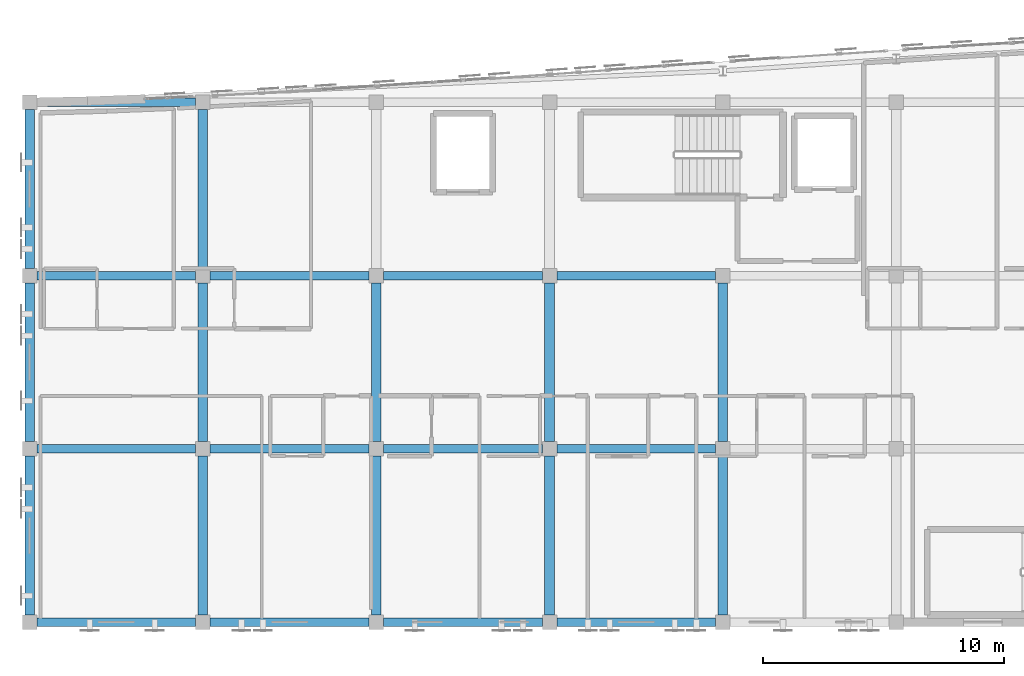
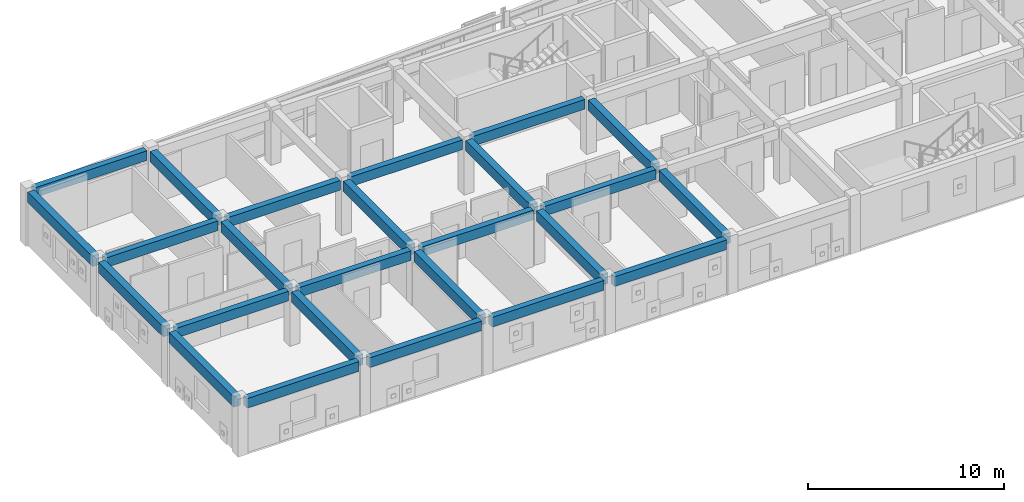
# One storey, part 5 of 51: 25 beams.
"""IFC4 building model written with IfcOpenShell, lengths in metres."""

from ifc_helpers import new_model, si_unit, direction, frame, origin, origin_2d, place, context, subcontext, project, spatial, rectangle, extrude, material, material_profile, profile_set, type_object, element, save


model = new_model("IFC4")

# Units and contexts
model_context = context("Model", 3, precision=1e-05, world=origin(), true_north=direction((0.0, 1.0)))
body_context = subcontext(model_context, "Body", "Model", "MODEL_VIEW")
ifc_project = project(units=[si_unit("LENGTHUNIT", "METRE"), si_unit("AREAUNIT", "SQUARE_METRE"), si_unit("VOLUMEUNIT", "CUBIC_METRE"), si_unit("PLANEANGLEUNIT", "RADIAN"), si_unit("MASSUNIT", "GRAM", prefix="KILO")], contexts=[model_context])

# Site, building, storey
site_placement = place(None, origin())
site = spatial("IfcSite", under=ifc_project, at=site_placement, CompositionType="ELEMENT")
building_placement = place(site_placement, origin())
building = spatial("IfcBuilding", under=site, at=building_placement, Name="Carrowvane Square Congress Hotel", CompositionType="ELEMENT")
storey_placement = place(building_placement, frame((0.0, 0.0, 30.0)))
storey = spatial("IfcBuildingStorey", under=building, at=storey_placement, Name="L07", CompositionType="ELEMENT", Elevation=30.0)

# Beams
ifc_material_1 = material(Name="Concrete C35/45", Category="concrete")
ifc_material_profile_1 = material_profile(ifc_material_1, rectangle(XDim=0.35009765625, YDim=0.60009765625, at=origin_2d()), Name="RC 350x600")
ifc_profile_set_1 = profile_set([ifc_material_profile_1], Name="Concrete C35/45")
beam_type_1 = type_object("IfcBeamType", Name="BM-RC-350x600", PredefinedType="BEAM", material=ifc_profile_set_1)
for number, where, z_axis, x_axis, name in (
    (1, (33.5, 91.800048828125, 3.06005859375), (1.0, 0.0, 0.0), (0.0, 1.0, 0.0), "L08 girder N/4-5"),
    (2, (40.699951171875, 91.800048828125, 3.06005859375), (1.0, 0.0, 0.0), (0.0, 1.0, 0.0), "L08 girder N/5-6"),
    (3, (47.89990234375, 91.800048828125, 3.06005859375), (1.0, 0.0, 0.0), (0.0, 1.0, 0.0), "L08 girder N/6-7"),
):
    element("IfcBeam", number, at=place(storey_placement, frame(where, z_axis=z_axis, x_axis=x_axis)), inside=storey, type_object=beam_type_1, Name=name, PredefinedType="BEAM", context=body_context, shape_type="SweptSolid", body=[
        extrude(rectangle(XDim=0.35009765625, YDim=0.60009765625, at=origin_2d()), origin(), (0.0, 0.0, 1.0), 6.60009765625),
    ])
beam_1_placement = place(storey_placement, frame((55.10009765625, 91.800048828125, 3.06005859375), z_axis=(1.0, 0.0, 0.0), x_axis=(0.0, 1.0, 0.0)))
element("IfcBeam", 4, at=beam_1_placement, inside=storey, type_object=beam_type_1, Name="L08 girder N/7-8", PredefinedType="BEAM", context=body_context, shape_type="SweptSolid", body=[
    extrude(rectangle(XDim=0.35009765625, YDim=0.60009765625, at=origin_2d()), origin(), (0.0, 0.0, 1.0), 6.599853515625),
])
for number, where, z_axis, x_axis, name in (
    (5, (33.5, 99.0, 3.06005859375), (1.0, 0.0, 0.0), (0.0, 1.0, 0.0), "L08 girder P/4-5"),
    (6, (40.699951171875, 99.0, 3.06005859375), (1.0, 0.0, 0.0), (0.0, 1.0, 0.0), "L08 girder P/5-6"),
    (7, (47.89990234375, 99.0, 3.06005859375), (1.0, 0.0, 0.0), (0.0, 1.0, 0.0), "L08 girder P/6-7"),
):
    element("IfcBeam", number, at=place(storey_placement, frame(where, z_axis=z_axis, x_axis=x_axis)), inside=storey, type_object=beam_type_1, Name=name, PredefinedType="BEAM", context=body_context, shape_type="SweptSolid", body=[
        extrude(rectangle(XDim=0.35009765625, YDim=0.60009765625, at=origin_2d()), origin(), (0.0, 0.0, 1.0), 6.60009765625),
    ])
beam_2_placement = place(storey_placement, frame((55.10009765625, 99.0, 3.06005859375), z_axis=(1.0, 0.0, 0.0), x_axis=(0.0, 1.0, 0.0)))
element("IfcBeam", 8, at=beam_2_placement, inside=storey, type_object=beam_type_1, Name="L08 girder P/7-8", PredefinedType="BEAM", context=body_context, shape_type="SweptSolid", body=[
    extrude(rectangle(XDim=0.35009765625, YDim=0.60009765625, at=origin_2d()), origin(), (0.0, 0.0, 1.0), 6.599853515625),
])
for number, where, z_axis, x_axis, name in (
    (9, (33.5, 106.199951171875, 3.06005859375), (1.0, 0.0, 0.0), (0.0, 1.0, 0.0), "L08 girder Q/4-5"),
    (10, (40.699951171875, 106.199951171875, 3.06005859375), (1.0, 0.0, 0.0), (0.0, 1.0, 0.0), "L08 girder Q/5-6"),
    (11, (47.89990234375, 106.199951171875, 3.06005859375), (1.0, 0.0, 0.0), (0.0, 1.0, 0.0), "L08 girder Q/6-7"),
):
    element("IfcBeam", number, at=place(storey_placement, frame(where, z_axis=z_axis, x_axis=x_axis)), inside=storey, type_object=beam_type_1, Name=name, PredefinedType="BEAM", context=body_context, shape_type="SweptSolid", body=[
        extrude(rectangle(XDim=0.35009765625, YDim=0.60009765625, at=origin_2d()), origin(), (0.0, 0.0, 1.0), 6.60009765625),
    ])
beam_3_placement = place(storey_placement, frame((55.10009765625, 106.199951171875, 3.06005859375), z_axis=(1.0, 0.0, 0.0), x_axis=(0.0, 1.0, 0.0)))
element("IfcBeam", 12, at=beam_3_placement, inside=storey, type_object=beam_type_1, Name="L08 girder Q/7-8", PredefinedType="BEAM", context=body_context, shape_type="SweptSolid", body=[
    extrude(rectangle(XDim=0.35009765625, YDim=0.60009765625, at=origin_2d()), origin(), (0.0, 0.0, 1.0), 6.599853515625),
])
beam_4_placement = place(storey_placement, frame((33.5, 113.39990234375, 3.06005859375), z_axis=(1.0, 0.0, 0.0), x_axis=(0.0, 1.0, 0.0)))
element("IfcBeam", 13, at=beam_4_placement, inside=storey, type_object=beam_type_1, Name="L08 girder R/4-5", PredefinedType="BEAM", context=body_context, shape_type="SweptSolid", body=[
    extrude(rectangle(XDim=0.35009765625, YDim=0.60009765625, at=origin_2d()), origin(), (0.0, 0.0, 1.0), 6.60009765625),
])
ifc_material_2 = material(Name="Concrete C35/45", Category="concrete")
ifc_material_profile_2 = material_profile(ifc_material_2, rectangle(XDim=0.39990234375, YDim=0.64990234375, at=origin_2d()), Name="RC 400x650")
ifc_profile_set_2 = profile_set([ifc_material_profile_2], Name="Concrete C35/45")
beam_type_2 = type_object("IfcBeamType", Name="BM-RC-400x650", PredefinedType="BEAM", material=ifc_profile_set_2)
for number, where, z_axis, x_axis, name in (
    (14, (33.199951171875, 92.10009765625, 3.034912109375), (0.0, 1.0, 0.0), (-1.0, 0.0, 0.0), "L08 girder 4/N-P"),
    (15, (33.199951171875, 99.300048828125, 3.034912109375), (0.0, 1.0, 0.0), (-1.0, 0.0, 0.0), "L08 girder 4/P-Q"),
):
    element("IfcBeam", number, at=place(storey_placement, frame(where, z_axis=z_axis, x_axis=x_axis)), inside=storey, type_object=beam_type_2, Name=name, PredefinedType="BEAM", context=body_context, shape_type="SweptSolid", body=[
        extrude(rectangle(XDim=0.39990234375, YDim=0.64990234375, at=origin_2d()), origin(), (0.0, 0.0, 1.0), 6.599853515625),
    ])
beam_5_placement = place(storey_placement, frame((33.199951171875, 106.5, 3.034912109375), z_axis=(0.0, 1.0, 0.0), x_axis=(-1.0, 0.0, 0.0)))
element("IfcBeam", 16, at=beam_5_placement, inside=storey, type_object=beam_type_2, Name="L08 girder 4/Q-R", PredefinedType="BEAM", context=body_context, shape_type="SweptSolid", body=[
    extrude(rectangle(XDim=0.39990234375, YDim=0.64990234375, at=origin_2d()), origin(), (0.0, 0.0, 1.0), 6.60009765625),
])
for number, where, z_axis, x_axis, name in (
    (17, (40.39990234375, 92.10009765625, 3.034912109375), (0.0, 1.0, 0.0), (-1.0, 0.0, 0.0), "L08 girder 5/N-P"),
    (18, (40.39990234375, 99.300048828125, 3.034912109375), (0.0, 1.0, 0.0), (-1.0, 0.0, 0.0), "L08 girder 5/P-Q"),
):
    element("IfcBeam", number, at=place(storey_placement, frame(where, z_axis=z_axis, x_axis=x_axis)), inside=storey, type_object=beam_type_2, Name=name, PredefinedType="BEAM", context=body_context, shape_type="SweptSolid", body=[
        extrude(rectangle(XDim=0.39990234375, YDim=0.64990234375, at=origin_2d()), origin(), (0.0, 0.0, 1.0), 6.599853515625),
    ])
beam_6_placement = place(storey_placement, frame((40.39990234375, 106.5, 3.034912109375), z_axis=(0.0, 1.0, 0.0), x_axis=(-1.0, 0.0, 0.0)))
element("IfcBeam", 19, at=beam_6_placement, inside=storey, type_object=beam_type_2, Name="L08 girder 5/Q-R", PredefinedType="BEAM", context=body_context, shape_type="SweptSolid", body=[
    extrude(rectangle(XDim=0.39990234375, YDim=0.64990234375, at=origin_2d()), origin(), (0.0, 0.0, 1.0), 6.60009765625),
])
for number, where, z_axis, x_axis, name in (
    (20, (47.60009765625, 92.10009765625, 3.034912109375), (0.0, 1.0, 0.0), (-1.0, 0.0, 0.0), "L08 girder 6/N-P"),
    (21, (47.60009765625, 99.300048828125, 3.034912109375), (0.0, 1.0, 0.0), (-1.0, 0.0, 0.0), "L08 girder 6/P-Q"),
    (22, (54.800048828125, 92.10009765625, 3.034912109375), (0.0, 1.0, 0.0), (-1.0, 0.0, 0.0), "L08 girder 7/N-P"),
    (23, (54.800048828125, 99.300048828125, 3.034912109375), (0.0, 1.0, 0.0), (-1.0, 0.0, 0.0), "L08 girder 7/P-Q"),
    (24, (62.0, 92.10009765625, 3.034912109375), (0.0, 1.0, 0.0), (-1.0, 0.0, 0.0), "L08 girder 8/N-P"),
    (25, (62.0, 99.300048828125, 3.034912109375), (0.0, 1.0, 0.0), (-1.0, 0.0, 0.0), "L08 girder 8/P-Q"),
):
    element("IfcBeam", number, at=place(storey_placement, frame(where, z_axis=z_axis, x_axis=x_axis)), inside=storey, type_object=beam_type_2, Name=name, PredefinedType="BEAM", context=body_context, shape_type="SweptSolid", body=[
        extrude(rectangle(XDim=0.39990234375, YDim=0.64990234375, at=origin_2d()), origin(), (0.0, 0.0, 1.0), 6.599853515625),
    ])

save(model, "model.ifc")
